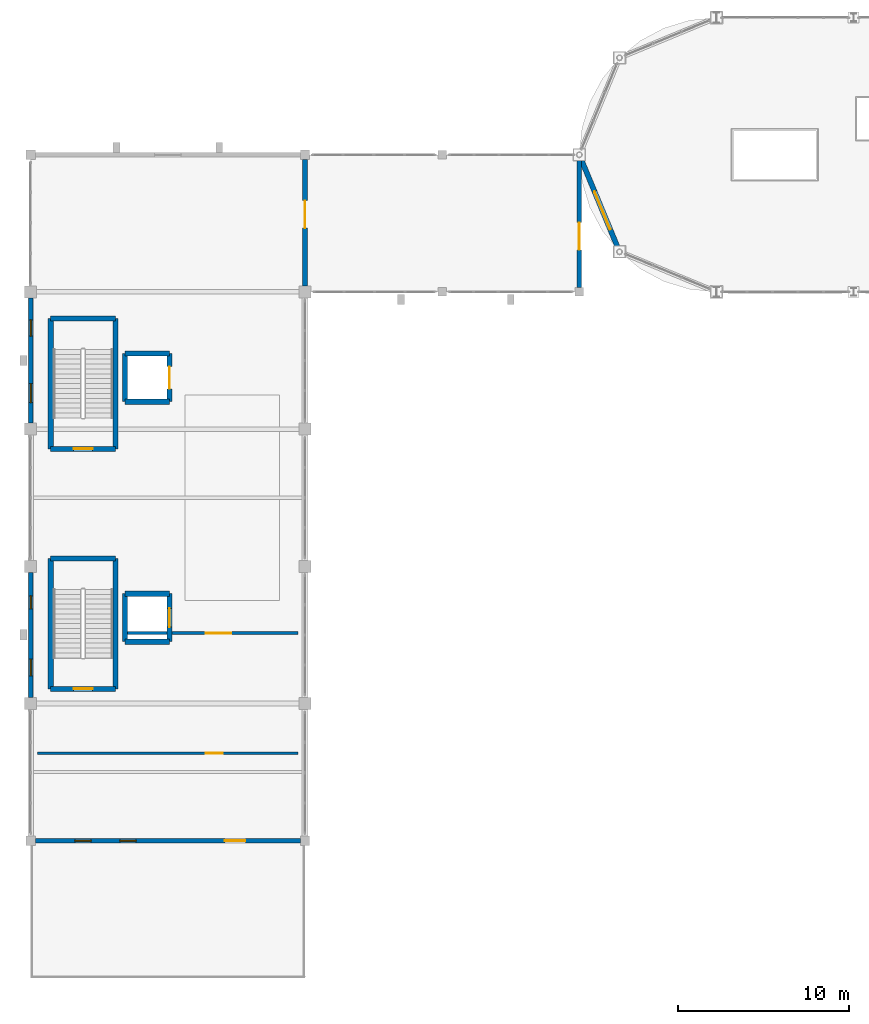
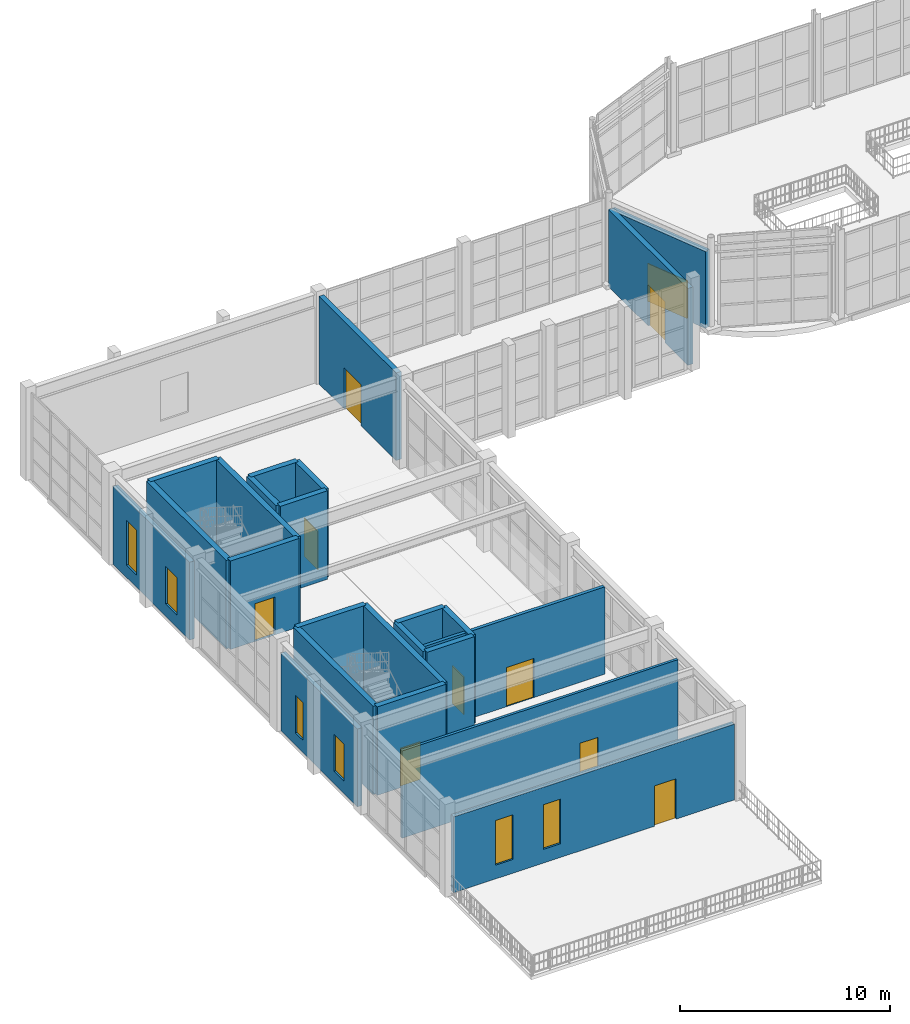
# One storey, part 65 of 82: 24 walls, 10 doors, 6 windows, 16 openings.
"""IFC4 building model written with IfcOpenShell, lengths in metres."""

from ifc_helpers import new_model, si_unit, direction, frame, frame_2d, origin, place, context, subcontext, project, spatial, rectangle, extrude, material, layer, layer_set, type_object, element, fill, save


model = new_model("IFC4")

# Units and contexts
model_context = context("Model", 3, precision=1e-05, world=origin(), true_north=direction((0.0, 1.0)))
body_context = subcontext(model_context, "Body", "Model", "MODEL_VIEW")
ifc_project = project(units=[si_unit("LENGTHUNIT", "METRE"), si_unit("AREAUNIT", "SQUARE_METRE"), si_unit("VOLUMEUNIT", "CUBIC_METRE"), si_unit("PLANEANGLEUNIT", "RADIAN"), si_unit("MASSUNIT", "GRAM", prefix="KILO")], contexts=[model_context])

# Site, building, storey
site_placement = place(None, origin())
site = spatial("IfcSite", under=ifc_project, at=site_placement, CompositionType="ELEMENT")
building_placement = place(site_placement, origin())
building = spatial("IfcBuilding", under=site, at=building_placement, Name="Serraluz Foothill Cableway Terminal", CompositionType="ELEMENT")
storey_placement = place(building_placement, frame((0.0, 0.0, 9.60009765625)))
storey = spatial("IfcBuildingStorey", under=building, at=storey_placement, Name="L02", CompositionType="ELEMENT", Elevation=9.60009765625)

# Wall, openings, windows
ifc_material_1 = material(Name="Fired clay masonry brick (f'm 12 MPa)", Category="masonry")
ifc_layer_1 = layer(ifc_material_1, 0.260009765625, Name="Fired clay masonry brick (f'm 12 MPa)", Category="masonry")
ifc_layer_set_1 = layer_set([ifc_layer_1], Name="Fired clay masonry brick (f'm 12 MPa)")
wall_type_1 = type_object("IfcWallType", Name="TYP-WL-EXT-260", PredefinedType="STANDARD", material=ifc_layer_set_1)
wall_1_placement = place(storey_placement, frame((0.0, 32.35009765625, 0.0), z_axis=(0.0, 0.0, 1.0), x_axis=(0.0, 1.0, 0.0)))
wall_1 = element("IfcWall", 1, at=wall_1_placement, inside=storey, type_object=wall_type_1, Name="Exterior Masonry Wall EW-V5W-L02-32", PredefinedType="STANDARD", context=body_context, shape_type="SweptSolid", body=[
    extrude(rectangle(XDim=7.2998046875, YDim=0.260009765625, at=frame_2d((3.64990234375, 0.0))), origin(), (0.0, 0.0, 1.0), 4.533935546875),
])
opening_1_placement = place(wall_1_placement, frame((1.261962890625, 0.0, 0.719970703125)))
opening_1 = element("IfcOpeningElement", 2, at=opening_1_placement, cuts=wall_1, Name="Opening W-49", PredefinedType="OPENING", context=body_context, shape_type="SweptSolid", body=[
    extrude(rectangle(XDim=0.97998046875, YDim=2.14990234375, at=frame_2d((0.489990234375, 1.074951171875))), frame((0.0, 0.14013671875, 0.0), z_axis=(0.0, -1.0, 0.0), x_axis=(1.0, 0.0, 0.0)), (0.0, 0.0, 1.0), 0.280029296875),
])
opening_2_placement = place(wall_1_placement, frame((5.173095703125, 0.0, 0.719970703125)))
opening_2 = element("IfcOpeningElement", 3, at=opening_2_placement, cuts=wall_1, Name="Opening W-01", PredefinedType="OPENING", context=body_context, shape_type="SweptSolid", body=[
    extrude(rectangle(XDim=0.75, YDim=2.199951171875, at=frame_2d((0.375, 1.10009765625))), frame((0.0, 0.14013671875, 0.0), z_axis=(0.0, -1.0, 0.0), x_axis=(1.0, 0.0, 0.0)), (0.0, 0.0, 1.0), 0.280029296875),
])
ifc_material_2 = material(Name="Laminated low-E safety glass", Category="glass")
window_type_1 = type_object("IfcWindowType", Name="TYP-WN-075X220", PartitioningType="SINGLE_PANEL", PredefinedType="WINDOW", material=ifc_material_2)
window_1_placement = place(opening_2_placement, origin())
window_1 = element("IfcWindow", 4, at=window_1_placement, inside=storey, type_object=window_type_1, Name="Exterior Window EW-V5W-L02-32-WN3", OverallHeight=2.199951171875, OverallWidth=0.75, PartitioningType="SINGLE_PANEL", PredefinedType="WINDOW", context=body_context, shape_type="SweptSolid", body=[
    extrude(rectangle(XDim=0.75, YDim=2.199951171875, at=frame_2d((0.375, 1.10009765625))), frame((0.0, 0.030029296875, 0.0), z_axis=(0.0, -1.0, 0.0), x_axis=(1.0, 0.0, 0.0)), (0.0, 0.0, 1.0), 0.06005859375),
])
fill(opening_2, window_1)
window_type_2 = type_object("IfcWindowType", Name="TYP-WN-098X215", PartitioningType="SINGLE_PANEL", PredefinedType="WINDOW", material=ifc_material_2)
window_2_placement = place(opening_1_placement, origin())
window_2 = element("IfcWindow", 5, at=window_2_placement, inside=storey, type_object=window_type_2, Name="Exterior Window EW-V5W-L02-32-WN1", OverallHeight=2.14990234375, OverallWidth=0.97998046875, PartitioningType="SINGLE_PANEL", PredefinedType="WINDOW", context=body_context, shape_type="SweptSolid", body=[
    extrude(rectangle(XDim=0.97998046875, YDim=2.14990234375, at=frame_2d((0.489990234375, 1.074951171875))), frame((0.0, 0.030029296875, 0.0), z_axis=(0.0, -1.0, 0.0), x_axis=(1.0, 0.0, 0.0)), (0.0, 0.0, 1.0), 0.06005859375),
])
fill(opening_1, window_2)

wall_2_placement = place(storey_placement, frame((0.0, 48.35009765625, 0.0), z_axis=(0.0, 0.0, 1.0), x_axis=(0.0, 1.0, 0.0)))
wall_2 = element("IfcWall", 6, at=wall_2_placement, inside=storey, type_object=wall_type_1, Name="Exterior Masonry Wall EW-V5W-L02-48", PredefinedType="STANDARD", context=body_context, shape_type="SweptSolid", body=[
    extrude(rectangle(XDim=7.2998046875, YDim=0.260009765625, at=frame_2d((3.64990234375, 0.0))), origin(), (0.0, 0.0, 1.0), 4.533935546875),
])
opening_3_placement = place(wall_2_placement, frame((1.201904296875, 0.0, 0.719970703125)))
opening_3 = element("IfcOpeningElement", 7, at=opening_3_placement, cuts=wall_2, Name="Opening W-04", PredefinedType="OPENING", context=body_context, shape_type="SweptSolid", body=[
    extrude(rectangle(XDim=1.10009765625, YDim=2.199951171875, at=frame_2d((0.550048828125, 1.10009765625))), frame((0.0, 0.14013671875, 0.0), z_axis=(0.0, -1.0, 0.0), x_axis=(1.0, 0.0, 0.0)), (0.0, 0.0, 1.0), 0.280029296875),
])
opening_4_placement = place(wall_2_placement, frame((5.072998046875, 0.0, 0.719970703125)))
opening_4 = element("IfcOpeningElement", 8, at=opening_4_placement, cuts=wall_2, Name="Opening W-03", PredefinedType="OPENING", context=body_context, shape_type="SweptSolid", body=[
    extrude(rectangle(XDim=0.949951171875, YDim=2.60009765625, at=frame_2d((0.47509765625, 1.300048828125))), frame((0.0, 0.14013671875, 0.0), z_axis=(0.0, -1.0, 0.0), x_axis=(1.0, 0.0, 0.0)), (0.0, 0.0, 1.0), 0.280029296875),
])
window_type_3 = type_object("IfcWindowType", Name="TYP-WN-095X260", PartitioningType="SINGLE_PANEL", PredefinedType="WINDOW", material=ifc_material_2)
window_3_placement = place(opening_4_placement, origin())
window_3 = element("IfcWindow", 9, at=window_3_placement, inside=storey, type_object=window_type_3, Name="Exterior Window EW-V5W-L02-48-WN3", OverallHeight=2.60009765625, OverallWidth=0.949951171875, PartitioningType="SINGLE_PANEL", PredefinedType="WINDOW", context=body_context, shape_type="SweptSolid", body=[
    extrude(rectangle(XDim=0.949951171875, YDim=2.60009765625, at=frame_2d((0.47509765625, 1.300048828125))), frame((0.0, 0.030029296875, 0.0), z_axis=(0.0, -1.0, 0.0), x_axis=(1.0, 0.0, 0.0)), (0.0, 0.0, 1.0), 0.06005859375),
])
fill(opening_4, window_3)
window_type_4 = type_object("IfcWindowType", Name="TYP-WN-110X220", PartitioningType="SINGLE_PANEL", PredefinedType="WINDOW", material=ifc_material_2)
window_4_placement = place(opening_3_placement, origin())
window_4 = element("IfcWindow", 10, at=window_4_placement, inside=storey, type_object=window_type_4, Name="Exterior Window EW-V5W-L02-48-WN1", OverallHeight=2.199951171875, OverallWidth=1.10009765625, PartitioningType="SINGLE_PANEL", PredefinedType="WINDOW", context=body_context, shape_type="SweptSolid", body=[
    extrude(rectangle(XDim=1.10009765625, YDim=2.199951171875, at=frame_2d((0.550048828125, 1.10009765625))), frame((0.0, 0.030029296875, 0.0), z_axis=(0.0, -1.0, 0.0), x_axis=(1.0, 0.0, 0.0)), (0.0, 0.0, 1.0), 0.06005859375),
])
fill(opening_3, window_4)

# Wall, openings, door, windows
wall_3_placement = place(storey_placement, frame((15.72509765625, 24.0, 0.0), z_axis=(0.0, 0.0, 1.0), x_axis=(-1.0, 0.0, 0.0)))
wall_3 = element("IfcWall", 11, at=wall_3_placement, inside=storey, type_object=wall_type_1, Name="Exterior Masonry Wall EW-V5S-L02", PredefinedType="STANDARD", context=body_context, shape_type="SweptSolid", body=[
    extrude(rectangle(XDim=15.4501953125, YDim=0.260009765625, at=frame_2d((7.72509765625, 0.0))), origin(), (0.0, 0.0, 1.0), 4.409912109375),
])
opening_5_placement = place(wall_3_placement, frame((9.5673828125, 0.0, 0.800048828125)))
opening_5 = element("IfcOpeningElement", 12, at=opening_5_placement, cuts=wall_3, Name="Opening W-03", PredefinedType="OPENING", context=body_context, shape_type="SweptSolid", body=[
    extrude(rectangle(XDim=0.949951171875, YDim=2.60009765625, at=frame_2d((0.47509765625, 1.300048828125))), frame((0.0, 0.14013671875, 0.0), z_axis=(0.0, -1.0, 0.0), x_axis=(1.0, 0.0, 0.0)), (0.0, 0.0, 1.0), 0.280029296875),
])
opening_6_placement = place(wall_3_placement, frame((12.194091796875, 0.0, 0.800048828125)))
opening_6 = element("IfcOpeningElement", 13, at=opening_6_placement, cuts=wall_3, Name="Opening W-03", PredefinedType="OPENING", context=body_context, shape_type="SweptSolid", body=[
    extrude(rectangle(XDim=0.949951171875, YDim=2.60009765625, at=frame_2d((0.47509765625, 1.300048828125))), frame((0.0, 0.14013671875, 0.0), z_axis=(0.0, -1.0, 0.0), x_axis=(1.0, 0.0, 0.0)), (0.0, 0.0, 1.0), 0.280029296875),
])
opening_7_placement = place(wall_3_placement, frame((3.199951171875, 0.0, 0.0)))
opening_7 = element("IfcOpeningElement", 14, at=opening_7_placement, cuts=wall_3, Name="Opening DT-02", PredefinedType="OPENING", context=body_context, shape_type="SweptSolid", body=[
    extrude(rectangle(XDim=1.199951171875, YDim=2.35009765625, at=frame_2d((0.60009765625, 1.175048828125))), frame((0.0, 0.14013671875, 0.0), z_axis=(0.0, -1.0, 0.0), x_axis=(1.0, 0.0, 0.0)), (0.0, 0.0, 1.0), 0.280029296875),
])
ifc_material_3 = material(Name="Architectural bronze alloy C28000", Category="aluminium")
door_type_1 = type_object("IfcDoorType", Name="TYP-DR-TER-1200", OperationType="NOTDEFINED", PredefinedType="DOOR", material=ifc_material_3)
door_1_placement = place(opening_7_placement, origin())
door_1 = element("IfcDoor", 15, at=door_1_placement, inside=storey, type_object=door_type_1, Name="Reading Deck South Terrace Access Door L02", OperationType="SINGLE_SWING_LEFT", OverallHeight=2.35009765625, OverallWidth=1.199951171875, PredefinedType="DOOR", context=body_context, shape_type="SweptSolid", body=[
    extrude(rectangle(XDim=1.199951171875, YDim=2.35009765625, at=frame_2d((0.60009765625, 1.175048828125))), frame((0.0, 0.02490234375, 0.0), z_axis=(0.0, -1.0, 0.0), x_axis=(1.0, 0.0, 0.0)), (0.0, 0.0, 1.0), 0.050048828125),
])
fill(opening_7, door_1)
window_5_placement = place(opening_5_placement, origin())
window_5 = element("IfcWindow", 16, at=window_5_placement, inside=storey, type_object=window_type_3, Name="Exterior Window EW-V5S-L02-WN1", OverallHeight=2.60009765625, OverallWidth=0.949951171875, PartitioningType="SINGLE_PANEL", PredefinedType="WINDOW", context=body_context, shape_type="SweptSolid", body=[
    extrude(rectangle(XDim=0.949951171875, YDim=2.60009765625, at=frame_2d((0.47509765625, 1.300048828125))), frame((0.0, 0.030029296875, 0.0), z_axis=(0.0, -1.0, 0.0), x_axis=(1.0, 0.0, 0.0)), (0.0, 0.0, 1.0), 0.06005859375),
])
fill(opening_5, window_5)
window_6_placement = place(opening_6_placement, origin())
window_6 = element("IfcWindow", 17, at=window_6_placement, inside=storey, type_object=window_type_3, Name="Exterior Window EW-V5S-L02-WN2", OverallHeight=2.60009765625, OverallWidth=0.949951171875, PartitioningType="SINGLE_PANEL", PredefinedType="WINDOW", context=body_context, shape_type="SweptSolid", body=[
    extrude(rectangle(XDim=0.949951171875, YDim=2.60009765625, at=frame_2d((0.47509765625, 1.300048828125))), frame((0.0, 0.030029296875, 0.0), z_axis=(0.0, -1.0, 0.0), x_axis=(1.0, 0.0, 0.0)), (0.0, 0.0, 1.0), 0.06005859375),
])
fill(opening_6, window_6)

# Wall, opening, door
ifc_layer_2 = layer(ifc_material_1, 0.280029296875, Name="Fired clay masonry brick (f'm 12 MPa)", Category="masonry")
ifc_layer_set_2 = layer_set([ifc_layer_2], Name="Fired clay masonry brick (f'm 12 MPa)")
wall_type_2 = type_object("IfcWallType", Name="TYP-WL-EXT-280", PredefinedType="STANDARD", material=ifc_layer_set_2)
wall_4_placement = place(storey_placement, frame((16.0, 63.72509765625, 0.0), z_axis=(0.0, 0.0, 1.0), x_axis=(0.0, -1.0, 0.0)))
wall_4 = element("IfcWall", 18, at=wall_4_placement, inside=storey, type_object=wall_type_2, Name="Exterior Masonry Wall EW-V5E-L02-56", PredefinedType="STANDARD", context=body_context, shape_type="SweptSolid", body=[
    extrude(rectangle(XDim=7.375, YDim=0.280029296875, at=frame_2d((3.6875, 0.0))), origin(), (0.0, 0.0, 1.0), 5.099853515625),
])
opening_8_placement = place(wall_4_placement, frame((2.39990234375, 0.0, 0.0)))
opening_8 = element("IfcOpeningElement", 19, at=opening_8_placement, cuts=wall_4, Name="Opening DT-03", PredefinedType="OPENING", context=body_context, shape_type="SweptSolid", body=[
    extrude(rectangle(XDim=1.60009765625, YDim=2.39990234375, at=frame_2d((0.800048828125, 1.199951171875))), frame((0.0, 0.14990234375, 0.0), z_axis=(0.0, -1.0, 0.0), x_axis=(1.0, 0.0, 0.0)), (0.0, 0.0, 1.0), 0.300048828125),
])
door_type_2 = type_object("IfcDoorType", Name="TYP-DR-TER-1600", OperationType="DOUBLE_DOOR_SINGLE_SWING", PredefinedType="DOOR", material=ifc_material_3)
door_2_placement = place(opening_8_placement, origin())
door_2 = element("IfcDoor", 20, at=door_2_placement, inside=storey, type_object=door_type_2, Name="West Bridge V5 Door L02", OperationType="DOUBLE_DOOR_SINGLE_SWING", OverallHeight=2.39990234375, OverallWidth=1.60009765625, PredefinedType="DOOR", context=body_context, shape_type="SweptSolid", body=[
    extrude(rectangle(XDim=1.60009765625, YDim=2.39990234375, at=frame_2d((0.800048828125, 1.199951171875))), frame((0.0, 0.02490234375, 0.0), z_axis=(0.0, -1.0, 0.0), x_axis=(1.0, 0.0, 0.0)), (0.0, 0.0, 1.0), 0.050048828125),
])
fill(opening_8, door_2)

wall_5_placement = place(storey_placement, frame((32.0, 56.25, 0.0), z_axis=(0.0, 0.0, 1.0), x_axis=(0.0, 1.0, 0.0)))
wall_5 = element("IfcWall", 21, at=wall_5_placement, inside=storey, type_object=wall_type_2, Name="Exterior Masonry Wall EW-WL-V1-L02", PredefinedType="STANDARD", context=body_context, shape_type="SweptSolid", body=[
    extrude(rectangle(XDim=7.587890625, YDim=0.280029296875, at=frame_2d((3.7939453125, 0.0))), origin(), (0.0, 0.0, 1.0), 4.477783203125),
])
opening_9_placement = place(wall_5_placement, frame((2.199951171875, 0.0, 0.0)))
opening_9 = element("IfcOpeningElement", 22, at=opening_9_placement, cuts=wall_5, Name="Opening DT-03", PredefinedType="OPENING", context=body_context, shape_type="SweptSolid", body=[
    extrude(rectangle(XDim=1.60009765625, YDim=2.39990234375, at=frame_2d((0.800048828125, 1.199951171875))), frame((0.0, 0.14990234375, 0.0), z_axis=(0.0, -1.0, 0.0), x_axis=(1.0, 0.0, 0.0)), (0.0, 0.0, 1.0), 0.300048828125),
])
door_3_placement = place(opening_9_placement, origin())
door_3 = element("IfcDoor", 23, at=door_3_placement, inside=storey, type_object=door_type_2, Name="West Bridge V1 Door L02", OperationType="DOUBLE_DOOR_SINGLE_SWING", OverallHeight=2.39990234375, OverallWidth=1.60009765625, PredefinedType="DOOR", context=body_context, shape_type="SweptSolid", body=[
    extrude(rectangle(XDim=1.60009765625, YDim=2.39990234375, at=frame_2d((0.800048828125, 1.199951171875))), frame((0.0, 0.02490234375, 0.0), z_axis=(0.0, -1.0, 0.0), x_axis=(1.0, 0.0, 0.0)), (0.0, 0.0, 1.0), 0.050048828125),
])
fill(opening_9, door_3)

ifc_layer_3 = layer(ifc_material_1, 0.300048828125, Name="Fired clay masonry brick (f'm 12 MPa)", Category="masonry")
ifc_layer_set_3 = layer_set([ifc_layer_3], Name="Fired clay masonry brick (f'm 12 MPa)")
wall_type_3 = type_object("IfcWallType", Name="TYP-WL-EXT-300", PredefinedType="STANDARD", material=ifc_layer_set_3)
wall_6_placement = place(storey_placement, frame((34.26220703125, 58.53857421875, 0.0), z_axis=(0.0, 0.0, 1.0), x_axis=(-0.382677131927, 0.923882142213, 0.0)))
wall_6 = element("IfcWall", 24, at=wall_6_placement, inside=storey, type_object=wall_type_3, Name="Exterior Masonry Wall EW-V1-W-L02-1", PredefinedType="STANDARD", context=body_context, shape_type="SweptSolid", body=[
    extrude(rectangle(XDim=5.69970703125, YDim=0.300048828125, at=frame_2d((2.849853515625, 0.0))), origin(), (0.0, 0.0, 1.0), 4.477783203125),
])
opening_10_placement = place(wall_6_placement, frame((1.199951171875, 0.0, 0.0)))
opening_10 = element("IfcOpeningElement", 25, at=opening_10_placement, cuts=wall_6, Name="Opening GP-G1", PredefinedType="OPENING", context=body_context, shape_type="SweptSolid", body=[
    extrude(rectangle(XDim=2.39990234375, YDim=2.199951171875, at=frame_2d((1.199951171875, 1.10009765625))), frame((0.0, 0.16015625, 0.0), z_axis=(0.0, -1.0, 0.0), x_axis=(1.0, 0.0, 0.0)), (0.0, 0.0, 1.0), 0.320068359375),
])
ifc_material_4 = material(Name="Galvanized hollow-metal steel sheet", Category="steel")
door_type_3 = type_object("IfcDoorType", Name="TYP-GT-PLAT-2400", OperationType="DOUBLE_DOOR_SLIDING", PredefinedType="GATE", material=ifc_material_4)
door_4_placement = place(opening_10_placement, origin())
door_4 = element("IfcDoor", 26, at=door_4_placement, inside=storey, type_object=door_type_3, Name="Gondola Line Portal Gate W", OperationType="DOUBLE_DOOR_SLIDING", OverallHeight=2.199951171875, OverallWidth=2.39990234375, PredefinedType="GATE", context=body_context, shape_type="SweptSolid", body=[
    extrude(rectangle(XDim=2.39990234375, YDim=2.199951171875, at=frame_2d((1.199951171875, 1.10009765625))), frame((0.0, 0.02490234375, 0.0), z_axis=(0.0, -1.0, 0.0), x_axis=(1.0, 0.0, 0.0)), (0.0, 0.0, 1.0), 0.050048828125),
])
fill(opening_10, door_4)

ifc_material_5 = material(Name="Lightweight gypsum and steel stud partition", Category="steel")
ifc_layer_4 = layer(ifc_material_5, 0.14990234375, Name="Lightweight gypsum and steel stud partition", Category="steel")
ifc_layer_set_4 = layer_set([ifc_layer_4], Name="Lightweight gypsum and steel stud partition")
wall_type_4 = type_object("IfcWallType", Name="TYP-WL-PRT-150", PredefinedType="PARTITIONING", material=ifc_layer_set_4)
wall_7_placement = place(storey_placement, frame((0.39990234375, 29.10009765625, 0.0), z_axis=(0.0, 0.0, 1.0), x_axis=(1.0, 0.0, 0.0)))
wall_7 = element("IfcWall", 27, at=wall_7_placement, inside=storey, type_object=wall_type_4, Name="Interior Partition PT-L02-11", PredefinedType="PARTITIONING", context=body_context, shape_type="SweptSolid", body=[
    extrude(rectangle(XDim=15.2001953125, YDim=0.14990234375, at=frame_2d((7.60009765625, 0.0))), origin(), (0.0, 0.0, 1.0), 5.079833984375),
])
opening_11_placement = place(wall_7_placement, frame((9.800048828125, 0.0, 0.0)))
opening_11 = element("IfcOpeningElement", 28, at=opening_11_placement, cuts=wall_7, Name="Opening DI-04", PredefinedType="OPENING", context=body_context, shape_type="SweptSolid", body=[
    extrude(rectangle(XDim=1.0, YDim=2.10009765625, at=frame_2d((0.5, 1.050048828125))), frame((0.0, 0.0849609375, 0.0), z_axis=(0.0, -1.0, 0.0), x_axis=(1.0, 0.0, 0.0)), (0.0, 0.0, 1.0), 0.169921875),
])
ifc_material_6 = material(Name="Kiln-dried Andean oak hardwood", Category="wood")
door_type_4 = type_object("IfcDoorType", Name="TYP-DR-ACC-1000", OperationType="NOTDEFINED", PredefinedType="DOOR", material=ifc_material_6)
door_5_placement = place(opening_11_placement, origin())
door_5 = element("IfcDoor", 29, at=door_5_placement, inside=storey, type_object=door_type_4, Name="Interior Door PT-L02-11-DR1", OperationType="SINGLE_SWING_RIGHT", OverallHeight=2.10009765625, OverallWidth=1.0, PredefinedType="DOOR", context=body_context, shape_type="SweptSolid", body=[
    extrude(rectangle(XDim=1.0, YDim=2.10009765625, at=frame_2d((0.5, 1.050048828125))), frame((0.0, 0.02490234375, 0.0), z_axis=(0.0, -1.0, 0.0), x_axis=(1.0, 0.0, 0.0)), (0.0, 0.0, 1.0), 0.050048828125),
])
fill(opening_11, door_5)

ifc_layer_5 = layer(ifc_material_1, 0.179931640625, Name="Fired clay masonry brick (f'm 12 MPa)", Category="masonry")
ifc_layer_set_5 = layer_set([ifc_layer_5], Name="Fired clay masonry brick (f'm 12 MPa)")
wall_type_5 = type_object("IfcWallType", Name="TYP-WL-PRT-180", PredefinedType="PARTITIONING", material=ifc_layer_set_5)
wall_8_placement = place(storey_placement, frame((5.39990234375, 36.10009765625, 0.0), z_axis=(0.0, 0.0, 1.0), x_axis=(1.0, 0.0, 0.0)))
wall_8 = element("IfcWall", 30, at=wall_8_placement, inside=storey, type_object=wall_type_5, Name="Interior Partition PT-L02-10", PredefinedType="PARTITIONING", context=body_context, shape_type="SweptSolid", body=[
    extrude(rectangle(XDim=10.2001953125, YDim=0.179931640625, at=frame_2d((5.10009765625, 0.0))), origin(), (0.0, 0.0, 1.0), 5.079833984375),
])
opening_12_placement = place(wall_8_placement, frame((4.800048828125, 0.0, 0.0)))
opening_12 = element("IfcOpeningElement", 31, at=opening_12_placement, cuts=wall_8, Name="Opening DI-09", PredefinedType="OPENING", context=body_context, shape_type="SweptSolid", body=[
    extrude(rectangle(XDim=1.5, YDim=2.280029296875, at=frame_2d((0.75, 1.14013671875))), frame((0.0, 0.10009765625, 0.0), z_axis=(0.0, -1.0, 0.0), x_axis=(1.0, 0.0, 0.0)), (0.0, 0.0, 1.0), 0.199951171875),
])
door_type_5 = type_object("IfcDoorType", Name="TYP-DR-DBL-1500", OperationType="DOUBLE_DOOR_SINGLE_SWING", PredefinedType="DOOR", material=ifc_material_3)
door_6_placement = place(opening_12_placement, origin())
door_6 = element("IfcDoor", 32, at=door_6_placement, inside=storey, type_object=door_type_5, Name="Interior Door PT-L02-10-DR1", OperationType="DOUBLE_DOOR_SINGLE_SWING", OverallHeight=2.280029296875, OverallWidth=1.5, PredefinedType="DOOR", context=body_context, shape_type="SweptSolid", body=[
    extrude(rectangle(XDim=1.5, YDim=2.280029296875, at=frame_2d((0.75, 1.14013671875))), frame((0.0, 0.02490234375, 0.0), z_axis=(0.0, -1.0, 0.0), x_axis=(1.0, 0.0, 0.0)), (0.0, 0.0, 1.0), 0.050048828125),
])
fill(opening_12, door_6)

ifc_material_7 = material(Name="Concrete C35/45 (f'c 35 MPa)", Category="concrete")
ifc_layer_6 = layer(ifc_material_7, 0.300048828125, Name="Concrete C35/45 (f'c 35 MPa)", Category="concrete")
ifc_layer_set_6 = layer_set([ifc_layer_6], Name="Concrete C35/45 (f'c 35 MPa)")
wall_type_6 = type_object("IfcWallType", Name="TYP-WL-SHR-350", PredefinedType="SHEAR", material=ifc_layer_set_6)
wall_9_placement = place(storey_placement, frame((4.949951171875, 46.85009765625, 0.0), z_axis=(0.0, 0.0, 1.0), x_axis=(-1.0, 0.0, 0.0)))
wall_9 = element("IfcWall", 33, at=wall_9_placement, inside=storey, type_object=wall_type_6, Name="Stair Core Shear Wall CW-ST-01-L02-S", PredefinedType="SHEAR", context=body_context, shape_type="SweptSolid", body=[
    extrude(rectangle(XDim=3.780029296875, YDim=0.300048828125, at=frame_2d((1.89013671875, 0.0))), origin(), (0.0, 0.0, 1.0), 5.14990234375),
])
opening_13_placement = place(wall_9_placement, frame((1.340087890625, 0.0, 0.0)))
opening_13 = element("IfcOpeningElement", 34, at=opening_13_placement, cuts=wall_9, Name="Opening DF-07", PredefinedType="OPENING", context=body_context, shape_type="SweptSolid", body=[
    extrude(rectangle(XDim=1.10009765625, YDim=2.199951171875, at=frame_2d((0.550048828125, 1.10009765625))), frame((0.0, 0.16015625, 0.0), z_axis=(0.0, -1.0, 0.0), x_axis=(1.0, 0.0, 0.0)), (0.0, 0.0, 1.0), 0.320068359375),
])
door_type_6 = type_object("IfcDoorType", Name="TYP-DR-FD60-1100", OperationType="NOTDEFINED", PredefinedType="DOOR", material=ifc_material_4)
door_7_placement = place(opening_13_placement, origin())
door_7 = element("IfcDoor", 35, at=door_7_placement, inside=storey, type_object=door_type_6, Name="Exit Stair Fire Door ST-01 L02", OperationType="SINGLE_SWING_RIGHT", OverallHeight=2.199951171875, OverallWidth=1.10009765625, PredefinedType="DOOR", context=body_context, shape_type="SweptSolid", body=[
    extrude(rectangle(XDim=1.10009765625, YDim=2.199951171875, at=frame_2d((0.550048828125, 1.10009765625))), frame((0.0, 0.02490234375, 0.0), z_axis=(0.0, -1.0, 0.0), x_axis=(1.0, 0.0, 0.0)), (0.0, 0.0, 1.0), 0.050048828125),
])
fill(opening_13, door_7)

# Walls
wall_10_placement = place(storey_placement, frame((1.169921875, 46.85009765625, 0.0), z_axis=(0.0, 0.0, 1.0), x_axis=(0.0, 1.0, 0.0)))
element("IfcWall", 36, at=wall_10_placement, inside=storey, type_object=wall_type_6, Name="Stair Core Shear Wall CW-ST-01-L02-W", PredefinedType="SHEAR", context=body_context, shape_type="SweptSolid", body=[
    extrude(rectangle(XDim=7.60986328125, YDim=0.300048828125, at=frame_2d((3.804931640625, 0.0))), origin(), (0.0, 0.0, 1.0), 5.14990234375),
])
wall_11_placement = place(storey_placement, frame((1.169921875, 54.4599609375, 0.0), z_axis=(0.0, 0.0, 1.0), x_axis=(1.0, 0.0, 0.0)))
element("IfcWall", 37, at=wall_11_placement, inside=storey, type_object=wall_type_6, Name="Stair Core Shear Wall CW-ST-01-L02-N", PredefinedType="SHEAR", context=body_context, shape_type="SweptSolid", body=[
    extrude(rectangle(XDim=3.780029296875, YDim=0.300048828125, at=frame_2d((1.89013671875, 0.0))), origin(), (0.0, 0.0, 1.0), 5.14990234375),
])
wall_12_placement = place(storey_placement, frame((4.949951171875, 54.4599609375, 0.0), z_axis=(0.0, 0.0, 1.0), x_axis=(0.0, -1.0, 0.0)))
element("IfcWall", 38, at=wall_12_placement, inside=storey, type_object=wall_type_6, Name="Stair Core Shear Wall CW-ST-01-L02-E", PredefinedType="SHEAR", context=body_context, shape_type="SweptSolid", body=[
    extrude(rectangle(XDim=7.60986328125, YDim=0.300048828125, at=frame_2d((3.804931640625, 0.0))), origin(), (0.0, 0.0, 1.0), 5.14990234375),
])

# Wall, opening, door
wall_13_placement = place(storey_placement, frame((4.949951171875, 32.85009765625, 0.0), z_axis=(0.0, 0.0, 1.0), x_axis=(-1.0, 0.0, 0.0)))
wall_13 = element("IfcWall", 39, at=wall_13_placement, inside=storey, type_object=wall_type_6, Name="Stair Core Shear Wall CW-ST-02-L02-S", PredefinedType="SHEAR", context=body_context, shape_type="SweptSolid", body=[
    extrude(rectangle(XDim=3.780029296875, YDim=0.300048828125, at=frame_2d((1.89013671875, 0.0))), origin(), (0.0, 0.0, 1.0), 5.14990234375),
])
opening_14_placement = place(wall_13_placement, frame((1.340087890625, 0.0, 0.0)))
opening_14 = element("IfcOpeningElement", 40, at=opening_14_placement, cuts=wall_13, Name="Opening DF-07", PredefinedType="OPENING", context=body_context, shape_type="SweptSolid", body=[
    extrude(rectangle(XDim=1.10009765625, YDim=2.199951171875, at=frame_2d((0.550048828125, 1.10009765625))), frame((0.0, 0.16015625, 0.0), z_axis=(0.0, -1.0, 0.0), x_axis=(1.0, 0.0, 0.0)), (0.0, 0.0, 1.0), 0.320068359375),
])
door_8_placement = place(opening_14_placement, origin())
door_8 = element("IfcDoor", 41, at=door_8_placement, inside=storey, type_object=door_type_6, Name="Exit Stair Fire Door ST-02 L02", OperationType="SINGLE_SWING_LEFT", OverallHeight=2.199951171875, OverallWidth=1.10009765625, PredefinedType="DOOR", context=body_context, shape_type="SweptSolid", body=[
    extrude(rectangle(XDim=1.10009765625, YDim=2.199951171875, at=frame_2d((0.550048828125, 1.10009765625))), frame((0.0, 0.02490234375, 0.0), z_axis=(0.0, -1.0, 0.0), x_axis=(1.0, 0.0, 0.0)), (0.0, 0.0, 1.0), 0.050048828125),
])
fill(opening_14, door_8)

# Walls
wall_14_placement = place(storey_placement, frame((1.169921875, 32.85009765625, 0.0), z_axis=(0.0, 0.0, 1.0), x_axis=(0.0, 1.0, 0.0)))
element("IfcWall", 42, at=wall_14_placement, inside=storey, type_object=wall_type_6, Name="Stair Core Shear Wall CW-ST-02-L02-W", PredefinedType="SHEAR", context=body_context, shape_type="SweptSolid", body=[
    extrude(rectangle(XDim=7.60986328125, YDim=0.300048828125, at=frame_2d((3.804931640625, 0.0))), origin(), (0.0, 0.0, 1.0), 5.14990234375),
])
wall_15_placement = place(storey_placement, frame((1.169921875, 40.4599609375, 0.0), z_axis=(0.0, 0.0, 1.0), x_axis=(1.0, 0.0, 0.0)))
element("IfcWall", 43, at=wall_15_placement, inside=storey, type_object=wall_type_6, Name="Stair Core Shear Wall CW-ST-02-L02-N", PredefinedType="SHEAR", context=body_context, shape_type="SweptSolid", body=[
    extrude(rectangle(XDim=3.780029296875, YDim=0.300048828125, at=frame_2d((1.89013671875, 0.0))), origin(), (0.0, 0.0, 1.0), 5.14990234375),
])
wall_16_placement = place(storey_placement, frame((4.949951171875, 40.4599609375, 0.0), z_axis=(0.0, 0.0, 1.0), x_axis=(0.0, -1.0, 0.0)))
element("IfcWall", 44, at=wall_16_placement, inside=storey, type_object=wall_type_6, Name="Stair Core Shear Wall CW-ST-02-L02-E", PredefinedType="SHEAR", context=body_context, shape_type="SweptSolid", body=[
    extrude(rectangle(XDim=7.60986328125, YDim=0.300048828125, at=frame_2d((3.804931640625, 0.0))), origin(), (0.0, 0.0, 1.0), 5.14990234375),
])
wall_17_placement = place(storey_placement, frame((8.10009765625, 49.60009765625, 0.0), z_axis=(0.0, 0.0, 1.0), x_axis=(-1.0, 0.0, 0.0)))
element("IfcWall", 45, at=wall_17_placement, inside=storey, type_object=wall_type_6, Name="Lift Shaft Shear Wall LW-LF-01-L02-S", PredefinedType="SHEAR", context=body_context, shape_type="SweptSolid", body=[
    extrude(rectangle(XDim=2.60009765625, YDim=0.300048828125, at=frame_2d((1.300048828125, 0.0))), origin(), (0.0, 0.0, 1.0), 5.14990234375),
])
wall_18_placement = place(storey_placement, frame((5.5, 49.60009765625, 0.0), z_axis=(0.0, 0.0, 1.0), x_axis=(0.0, 1.0, 0.0)))
element("IfcWall", 46, at=wall_18_placement, inside=storey, type_object=wall_type_6, Name="Lift Shaft Shear Wall LW-LF-01-L02-W", PredefinedType="SHEAR", context=body_context, shape_type="SweptSolid", body=[
    extrude(rectangle(XDim=2.7998046875, YDim=0.300048828125, at=frame_2d((1.39990234375, 0.0))), origin(), (0.0, 0.0, 1.0), 5.14990234375),
])
wall_19_placement = place(storey_placement, frame((5.5, 52.39990234375, 0.0), z_axis=(0.0, 0.0, 1.0), x_axis=(1.0, 0.0, 0.0)))
element("IfcWall", 47, at=wall_19_placement, inside=storey, type_object=wall_type_6, Name="Lift Shaft Shear Wall LW-LF-01-L02-N", PredefinedType="SHEAR", context=body_context, shape_type="SweptSolid", body=[
    extrude(rectangle(XDim=2.60009765625, YDim=0.300048828125, at=frame_2d((1.300048828125, 0.0))), origin(), (0.0, 0.0, 1.0), 5.14990234375),
])

# Wall, opening, door
wall_20_placement = place(storey_placement, frame((8.10009765625, 52.39990234375, 0.0), z_axis=(0.0, 0.0, 1.0), x_axis=(0.0, -1.0, 0.0)))
wall_20 = element("IfcWall", 48, at=wall_20_placement, inside=storey, type_object=wall_type_6, Name="Lift Shaft Shear Wall LW-LF-01-L02-E", PredefinedType="SHEAR", context=body_context, shape_type="SweptSolid", body=[
    extrude(rectangle(XDim=2.7998046875, YDim=0.300048828125, at=frame_2d((1.39990234375, 0.0))), origin(), (0.0, 0.0, 1.0), 5.14990234375),
])
opening_15_placement = place(wall_20_placement, frame((0.75, 0.0, 0.0)))
opening_15 = element("IfcOpeningElement", 49, at=opening_15_placement, cuts=wall_20, Name="Opening LD-02", PredefinedType="OPENING", context=body_context, shape_type="SweptSolid", body=[
    extrude(rectangle(XDim=1.300048828125, YDim=2.25, at=frame_2d((0.64990234375, 1.125))), frame((0.0, 0.16015625, 0.0), z_axis=(0.0, -1.0, 0.0), x_axis=(1.0, 0.0, 0.0)), (0.0, 0.0, 1.0), 0.320068359375),
])
door_type_7 = type_object("IfcDoorType", Name="TYP-DR-LD-1300", OperationType="DOUBLE_DOOR_SLIDING", PredefinedType="DOOR", material=ifc_material_4)
door_9_placement = place(opening_15_placement, origin())
door_9 = element("IfcDoor", 50, at=door_9_placement, inside=storey, type_object=door_type_7, Name="Lift Sliding Landing Door LF-01 L02", OperationType="DOUBLE_DOOR_SLIDING", OverallHeight=2.25, OverallWidth=1.300048828125, PredefinedType="DOOR", context=body_context, shape_type="SweptSolid", body=[
    extrude(rectangle(XDim=1.300048828125, YDim=2.25, at=frame_2d((0.64990234375, 1.125))), frame((0.0, 0.02490234375, 0.0), z_axis=(0.0, -1.0, 0.0), x_axis=(1.0, 0.0, 0.0)), (0.0, 0.0, 1.0), 0.050048828125),
])
fill(opening_15, door_9)

# Walls
wall_21_placement = place(storey_placement, frame((8.10009765625, 35.60009765625, 0.0), z_axis=(0.0, 0.0, 1.0), x_axis=(-1.0, 0.0, 0.0)))
element("IfcWall", 51, at=wall_21_placement, inside=storey, type_object=wall_type_6, Name="Lift Shaft Shear Wall LW-LF-02-L02-S", PredefinedType="SHEAR", context=body_context, shape_type="SweptSolid", body=[
    extrude(rectangle(XDim=2.60009765625, YDim=0.300048828125, at=frame_2d((1.300048828125, 0.0))), origin(), (0.0, 0.0, 1.0), 5.14990234375),
])
wall_22_placement = place(storey_placement, frame((5.5, 35.60009765625, 0.0), z_axis=(0.0, 0.0, 1.0), x_axis=(0.0, 1.0, 0.0)))
element("IfcWall", 52, at=wall_22_placement, inside=storey, type_object=wall_type_6, Name="Lift Shaft Shear Wall LW-LF-02-L02-W", PredefinedType="SHEAR", context=body_context, shape_type="SweptSolid", body=[
    extrude(rectangle(XDim=2.7998046875, YDim=0.300048828125, at=frame_2d((1.39990234375, 0.0))), origin(), (0.0, 0.0, 1.0), 5.14990234375),
])
wall_23_placement = place(storey_placement, frame((5.5, 38.39990234375, 0.0), z_axis=(0.0, 0.0, 1.0), x_axis=(1.0, 0.0, 0.0)))
element("IfcWall", 53, at=wall_23_placement, inside=storey, type_object=wall_type_6, Name="Lift Shaft Shear Wall LW-LF-02-L02-N", PredefinedType="SHEAR", context=body_context, shape_type="SweptSolid", body=[
    extrude(rectangle(XDim=2.60009765625, YDim=0.300048828125, at=frame_2d((1.300048828125, 0.0))), origin(), (0.0, 0.0, 1.0), 5.14990234375),
])

# Wall, opening, door
wall_24_placement = place(storey_placement, frame((8.10009765625, 38.39990234375, 0.0), z_axis=(0.0, 0.0, 1.0), x_axis=(0.0, -1.0, 0.0)))
wall_24 = element("IfcWall", 54, at=wall_24_placement, inside=storey, type_object=wall_type_6, Name="Lift Shaft Shear Wall LW-LF-02-L02-E", PredefinedType="SHEAR", context=body_context, shape_type="SweptSolid", body=[
    extrude(rectangle(XDim=2.7998046875, YDim=0.300048828125, at=frame_2d((1.39990234375, 0.0))), origin(), (0.0, 0.0, 1.0), 5.14990234375),
])
opening_16_placement = place(wall_24_placement, frame((0.85009765625, 0.0, 0.0)))
opening_16 = element("IfcOpeningElement", 55, at=opening_16_placement, cuts=wall_24, Name="Opening LD-01", PredefinedType="OPENING", context=body_context, shape_type="SweptSolid", body=[
    extrude(rectangle(XDim=1.10009765625, YDim=2.199951171875, at=frame_2d((0.550048828125, 1.10009765625))), frame((0.0, 0.16015625, 0.0), z_axis=(0.0, -1.0, 0.0), x_axis=(1.0, 0.0, 0.0)), (0.0, 0.0, 1.0), 0.320068359375),
])
door_type_8 = type_object("IfcDoorType", Name="TYP-DR-LD-1100", OperationType="DOUBLE_DOOR_SLIDING", PredefinedType="DOOR", material=ifc_material_4)
door_10_placement = place(opening_16_placement, origin())
door_10 = element("IfcDoor", 56, at=door_10_placement, inside=storey, type_object=door_type_8, Name="Lift Sliding Landing Door LF-02 L02", OperationType="DOUBLE_DOOR_SLIDING", OverallHeight=2.199951171875, OverallWidth=1.10009765625, PredefinedType="DOOR", context=body_context, shape_type="SweptSolid", body=[
    extrude(rectangle(XDim=1.10009765625, YDim=2.199951171875, at=frame_2d((0.550048828125, 1.10009765625))), frame((0.0, 0.02490234375, 0.0), z_axis=(0.0, -1.0, 0.0), x_axis=(1.0, 0.0, 0.0)), (0.0, 0.0, 1.0), 0.050048828125),
])
fill(opening_16, door_10)

save(model, "model.ifc")
